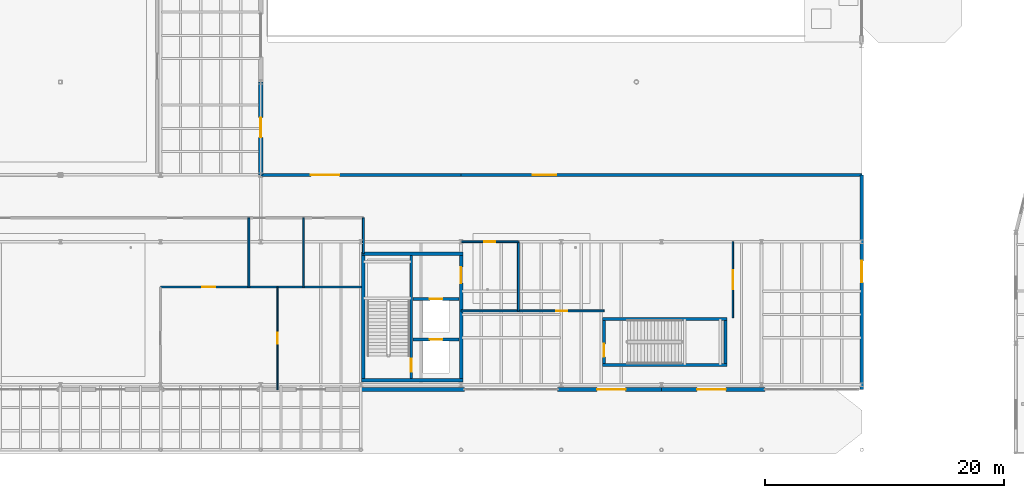
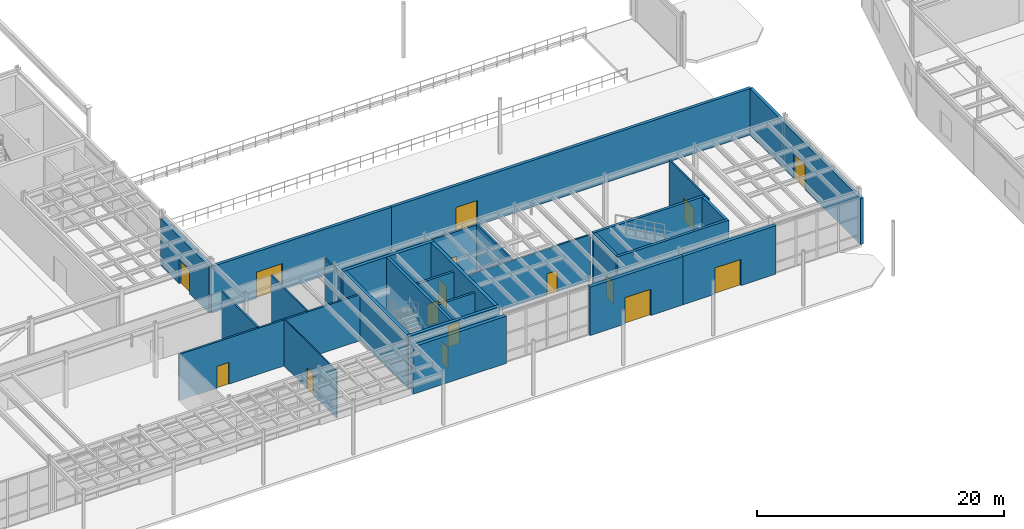
# One storey, part 65 of 87: 27 walls, 16 doors, 16 openings.
"""IFC4 building model written with IfcOpenShell, lengths in metres."""

from ifc_helpers import new_model, si_unit, direction, frame, frame_2d, origin, place, context, subcontext, project, spatial, rectangle, extrude, material, layer, layer_set, type_object, element, fill, save


model = new_model("IFC4")

# Units and contexts
model_context = context("Model", 3, precision=1e-05, world=origin(), true_north=direction((0.0, 1.0)))
body_context = subcontext(model_context, "Body", "Model", "MODEL_VIEW")
ifc_project = project(units=[si_unit("LENGTHUNIT", "METRE"), si_unit("AREAUNIT", "SQUARE_METRE"), si_unit("VOLUMEUNIT", "CUBIC_METRE"), si_unit("PLANEANGLEUNIT", "RADIAN"), si_unit("MASSUNIT", "GRAM", prefix="KILO")], contexts=[model_context])

# Site, building, storey
site_placement = place(None, origin())
site = spatial("IfcSite", under=ifc_project, at=site_placement, CompositionType="ELEMENT")
building_placement = place(site_placement, origin())
building = spatial("IfcBuilding", under=site, at=building_placement, Name="Selat Folded Stagehouse", CompositionType="ELEMENT")
storey_placement = place(building_placement, origin())
storey = spatial("IfcBuildingStorey", under=building, at=storey_placement, Name="L00", CompositionType="ELEMENT", Elevation=0.0)

# Wall, opening, door
ifc_material_1 = material(Name="Concrete C40/50", Category="concrete")
ifc_layer_1 = layer(ifc_material_1, 0.179931640625)
ifc_layer_set_1 = layer_set([ifc_layer_1], Name="Concrete C40/50")
wall_type_1 = type_object("IfcWallType", Name="WAL-COMP-180", PredefinedType="STANDARD", material=ifc_layer_set_1)
wall_1_placement = place(storey_placement, frame((58.800048828125, 14.0, 0.0), z_axis=(0.0, 0.0, 1.0), x_axis=(1.0, 0.0, 0.0)))
wall_1 = element("IfcWall", 1, at=wall_1_placement, inside=storey, type_object=wall_type_1, Name="L00 interior partition wall 021", PredefinedType="STANDARD", context=body_context, shape_type="SweptSolid", body=[
    extrude(rectangle(XDim=17.0, YDim=0.179931640625, at=frame_2d((8.5, 0.0))), origin(), (0.0, 0.0, 1.0), 4.5546875),
])
opening_1_placement = place(wall_1_placement, frame((3.498046875, 0.0, 0.0)))
opening_1 = element("IfcOpeningElement", 2, at=opening_1_placement, cuts=wall_1, Name="Opening FD-60", PredefinedType="OPENING", context=body_context, shape_type="SweptSolid", body=[
    extrude(rectangle(XDim=1.10009765625, YDim=2.14990234375, at=frame_2d((0.550048828125, 1.074951171875))), frame((0.0, 0.099853515625, 0.0), z_axis=(0.0, -1.0, 0.0), x_axis=(1.0, 0.0, 0.0)), (0.0, 0.0, 1.0), 0.199951171875),
])
ifc_material_2 = material(Name="Fire-rated timber core door", Category="wood")
door_type_1 = type_object("IfcDoorType", Name="DOR-FIRE-60", OperationType="NOTDEFINED", PredefinedType="DOOR", material=ifc_material_2)
door_1_placement = place(opening_1_placement, origin())
door_1 = element("IfcDoor", 3, at=door_1_placement, inside=storey, type_object=door_type_1, Name="L00 interior door IWAL-L00-021-1", OperationType="SINGLE_SWING_RIGHT", OverallHeight=2.14990234375, OverallWidth=1.10009765625, PredefinedType="DOOR", context=body_context, shape_type="SweptSolid", body=[
    extrude(rectangle(XDim=1.10009765625, YDim=2.14990234375, at=frame_2d((0.550048828125, 1.074951171875))), frame((0.0, 0.02490234375, 0.0), z_axis=(0.0, -1.0, 0.0), x_axis=(1.0, 0.0, 0.0)), (0.0, 0.0, 1.0), 0.050048828125),
])
fill(opening_1, door_1)

ifc_layer_2 = layer(ifc_material_1, 0.215087890625)
ifc_layer_set_2 = layer_set([ifc_layer_2], Name="Concrete C40/50")
wall_type_2 = type_object("IfcWallType", Name="WAL-COMP-215", PredefinedType="STANDARD", material=ifc_layer_set_2)
wall_2_placement = place(storey_placement, frame((79.97998046875, 9.60009765625, 0.0), z_axis=(0.0, 0.0, 1.0), x_axis=(1.0, 0.0, 0.0)))
wall_2 = element("IfcWall", 4, at=wall_2_placement, inside=storey, type_object=wall_type_2, Name="L00 PL-01 lift shaft front wall", PredefinedType="STANDARD", context=body_context, shape_type="SweptSolid", body=[
    extrude(rectangle(XDim=3.85009765625, YDim=0.215087890625, at=frame_2d((1.925048828125, 0.0))), origin(), (0.0, 0.0, 1.0), 4.5546875),
])
opening_2_placement = place(wall_2_placement, frame((1.39990234375, 0.0, 0.0)))
opening_2 = element("IfcOpeningElement", 5, at=opening_2_placement, cuts=wall_2, Name="Opening LD-03", PredefinedType="OPENING", context=body_context, shape_type="SweptSolid", body=[
    extrude(rectangle(XDim=1.050048828125, YDim=2.14990234375, at=frame_2d((0.52490234375, 1.074951171875))), frame((0.0, 0.117431640625, 0.0), z_axis=(0.0, -1.0, 0.0), x_axis=(1.0, 0.0, 0.0)), (0.0, 0.0, 1.0), 0.235107421875),
])
ifc_material_3 = material(Name="Passenger lift stainless sliding landing door", Category="wood")
door_type_2 = type_object("IfcDoorType", Name="DOR-LFT-1050", OperationType="NOTDEFINED", PredefinedType="DOOR", material=ifc_material_3)
door_2_placement = place(opening_2_placement, origin())
door_2 = element("IfcDoor", 6, at=door_2_placement, inside=storey, type_object=door_type_2, Name="L00 PL-01 lift sliding landing door", OperationType="SLIDING_TO_LEFT", OverallHeight=2.14990234375, OverallWidth=1.050048828125, PredefinedType="DOOR", context=body_context, shape_type="SweptSolid", body=[
    extrude(rectangle(XDim=1.050048828125, YDim=2.14990234375, at=frame_2d((0.52490234375, 1.074951171875))), frame((0.0, 0.02490234375, 0.0), z_axis=(0.0, -1.0, 0.0), x_axis=(1.0, 0.0, 0.0)), (0.0, 0.0, 1.0), 0.050048828125),
])
fill(opening_2, door_2)

wall_3_placement = place(storey_placement, frame((79.97998046875, 13.0, 0.0), z_axis=(0.0, 0.0, 1.0), x_axis=(1.0, 0.0, 0.0)))
wall_3 = element("IfcWall", 7, at=wall_3_placement, inside=storey, type_object=wall_type_2, Name="L00 PL-02 lift shaft front wall", PredefinedType="STANDARD", context=body_context, shape_type="SweptSolid", body=[
    extrude(rectangle(XDim=3.85009765625, YDim=0.215087890625, at=frame_2d((1.925048828125, 0.0))), origin(), (0.0, 0.0, 1.0), 4.5546875),
])
opening_3_placement = place(wall_3_placement, frame((1.39990234375, 0.0, 0.0)))
opening_3 = element("IfcOpeningElement", 8, at=opening_3_placement, cuts=wall_3, Name="Opening LD-03", PredefinedType="OPENING", context=body_context, shape_type="SweptSolid", body=[
    extrude(rectangle(XDim=1.050048828125, YDim=2.14990234375, at=frame_2d((0.52490234375, 1.074951171875))), frame((0.0, 0.117431640625, 0.0), z_axis=(0.0, -1.0, 0.0), x_axis=(1.0, 0.0, 0.0)), (0.0, 0.0, 1.0), 0.235107421875),
])
door_3_placement = place(opening_3_placement, origin())
door_3 = element("IfcDoor", 9, at=door_3_placement, inside=storey, type_object=door_type_2, Name="L00 PL-02 lift sliding landing door", OperationType="SLIDING_TO_RIGHT", OverallHeight=2.14990234375, OverallWidth=1.050048828125, PredefinedType="DOOR", context=body_context, shape_type="SweptSolid", body=[
    extrude(rectangle(XDim=1.050048828125, YDim=2.14990234375, at=frame_2d((0.52490234375, 1.074951171875))), frame((0.0, 0.02490234375, 0.0), z_axis=(0.0, -1.0, 0.0), x_axis=(1.0, 0.0, 0.0)), (0.0, 0.0, 1.0), 0.050048828125),
])
fill(opening_3, door_3)

# Walls
ifc_material_4 = material(Name="Concrete C50/60", Category="concrete")
ifc_layer_3 = layer(ifc_material_4, 0.25)
ifc_layer_set_3 = layer_set([ifc_layer_3], Name="Concrete C50/60")
wall_type_3 = type_object("IfcWallType", Name="WAL-CORE-250", PredefinedType="SHEAR", material=ifc_layer_set_3)
for number, where, z_axis, x_axis, name in (
    (10, (106.284912109375, 7.4599609375, 0.0), (0.0, 0.0, 1.0), (-1.0, 0.0, 0.0), "L00 ST-08 south shaft wall"),
    (11, (95.875, 11.340087890625, 0.0), (0.0, 0.0, 1.0), (1.0, 0.0, 0.0), "L00 ST-08 north shaft wall"),
):
    element("IfcWall", number, at=place(storey_placement, frame(where, z_axis=z_axis, x_axis=x_axis)), inside=storey, type_object=wall_type_3, Name=name, PredefinedType="SHEAR", context=body_context, shape_type="SweptSolid", body=[
        extrude(rectangle(XDim=10.409912109375, YDim=0.25, at=frame_2d((5.205078125, 0.0))), origin(), (0.0, 0.0, 1.0), 5.179931640625),
    ])

# Wall, opening, door
wall_4_placement = place(storey_placement, frame((96.0, 7.5849609375, 0.0), z_axis=(0.0, 0.0, 1.0), x_axis=(0.0, 1.0, 0.0)))
wall_4 = element("IfcWall", 12, at=wall_4_placement, inside=storey, type_object=wall_type_3, Name="L00 ST-08 west shaft wall", PredefinedType="SHEAR", context=body_context, shape_type="SweptSolid", body=[
    extrude(rectangle(XDim=3.630126953125, YDim=0.25, at=frame_2d((1.81494140625, 0.0))), origin(), (0.0, 0.0, 1.0), 5.179931640625),
])
opening_4_placement = place(wall_4_placement, frame((0.550048828125, 0.0, 0.0)))
opening_4 = element("IfcOpeningElement", 13, at=opening_4_placement, cuts=wall_4, Name="Opening FD-60", PredefinedType="OPENING", context=body_context, shape_type="SweptSolid", body=[
    extrude(rectangle(XDim=1.10009765625, YDim=2.14990234375, at=frame_2d((0.550048828125, 1.074951171875))), frame((0.0, 0.135009765625, 0.0), z_axis=(0.0, -1.0, 0.0), x_axis=(1.0, 0.0, 0.0)), (0.0, 0.0, 1.0), 0.27001953125),
])
door_4_placement = place(opening_4_placement, origin())
door_4 = element("IfcDoor", 14, at=door_4_placement, inside=storey, type_object=door_type_1, Name="L00 ST-08 stair door", OperationType="SINGLE_SWING_RIGHT", OverallHeight=2.14990234375, OverallWidth=1.10009765625, PredefinedType="DOOR", context=body_context, shape_type="SweptSolid", body=[
    extrude(rectangle(XDim=1.10009765625, YDim=2.14990234375, at=frame_2d((0.550048828125, 1.074951171875))), frame((0.0, 0.02490234375, 0.0), z_axis=(0.0, -1.0, 0.0), x_axis=(1.0, 0.0, 0.0)), (0.0, 0.0, 1.0), 0.050048828125),
])
fill(opening_4, door_4)

# Wall
wall_5_placement = place(storey_placement, frame((106.159912109375, 11.215087890625, 0.0), z_axis=(0.0, 0.0, 1.0), x_axis=(0.0, -1.0, 0.0)))
element("IfcWall", 15, at=wall_5_placement, inside=storey, type_object=wall_type_3, Name="L00 ST-08 east shaft wall", PredefinedType="SHEAR", context=body_context, shape_type="SweptSolid", body=[
    extrude(rectangle(XDim=3.630126953125, YDim=0.25, at=frame_2d((1.81494140625, 0.0))), origin(), (0.0, 0.0, 1.0), 5.179931640625),
])

# Wall, opening, door
wall_6_placement = place(storey_placement, frame((79.820068359375, 16.64990234375, 0.0), z_axis=(0.0, 0.0, 1.0), x_axis=(0.0, -1.0, 0.0)))
wall_6 = element("IfcWall", 16, at=wall_6_placement, inside=storey, type_object=wall_type_3, Name="L00 CR-3 internal core divider wall", PredefinedType="SHEAR", context=body_context, shape_type="SweptSolid", body=[
    extrude(rectangle(XDim=10.2998046875, YDim=0.25, at=frame_2d((5.14990234375, 0.0))), origin(), (0.0, 0.0, 1.0), 5.179931640625),
])
opening_5_placement = place(wall_6_placement, frame((8.64990234375, 0.0, 0.0)))
opening_5 = element("IfcOpeningElement", 17, at=opening_5_placement, cuts=wall_6, Name="Opening FD-60", PredefinedType="OPENING", context=body_context, shape_type="SweptSolid", body=[
    extrude(rectangle(XDim=1.10009765625, YDim=2.14990234375, at=frame_2d((0.550048828125, 1.074951171875))), frame((0.0, 0.135009765625, 0.0), z_axis=(0.0, -1.0, 0.0), x_axis=(1.0, 0.0, 0.0)), (0.0, 0.0, 1.0), 0.27001953125),
])
door_5_placement = place(opening_5_placement, origin())
door_5 = element("IfcDoor", 18, at=door_5_placement, inside=storey, type_object=door_type_1, Name="L00 CR-3 protected stair fire door", OperationType="SINGLE_SWING_LEFT", OverallHeight=2.14990234375, OverallWidth=1.10009765625, PredefinedType="DOOR", context=body_context, shape_type="SweptSolid", body=[
    extrude(rectangle(XDim=1.10009765625, YDim=2.14990234375, at=frame_2d((0.550048828125, 1.074951171875))), frame((0.0, 0.02490234375, 0.0), z_axis=(0.0, -1.0, 0.0), x_axis=(1.0, 0.0, 0.0)), (0.0, 0.0, 1.0), 0.050048828125),
])
fill(opening_5, door_5)

ifc_material_5 = material(Name="Precast concrete C40/50", Category="concrete")
ifc_layer_4 = layer(ifc_material_5, 0.27490234375)
ifc_layer_set_4 = layer_set([ifc_layer_4], Name="Precast concrete C40/50")
wall_type_4 = type_object("IfcWallType", Name="WAL-EXT-275", PredefinedType="STANDARD", material=ifc_layer_set_4)
wall_7_placement = place(storey_placement, frame((117.60009765625, 23.39990234375, 0.0), z_axis=(0.0, 0.0, 1.0), x_axis=(0.0, -1.0, 0.0)))
wall_7 = element("IfcWall", 19, at=wall_7_placement, inside=storey, type_object=wall_type_4, Name="L00 exterior facade wall EW-L00-FYR-E", PredefinedType="STANDARD", context=body_context, shape_type="SweptSolid", body=[
    extrude(rectangle(XDim=18.0, YDim=0.27490234375, at=frame_2d((9.0, 0.0))), origin(), (0.0, 0.0, 1.0), 4.5546875),
])
opening_6_placement = place(wall_7_placement, frame((7.199951171875, 0.0, 0.0)))
opening_6 = element("IfcOpeningElement", 20, at=opening_6_placement, cuts=wall_7, Name="Opening ED-04", PredefinedType="OPENING", context=body_context, shape_type="SweptSolid", body=[
    extrude(rectangle(XDim=1.800048828125, YDim=2.39990234375, at=frame_2d((0.89990234375, 1.199951171875))), frame((0.0, 0.1474609375, 0.0), z_axis=(0.0, -1.0, 0.0), x_axis=(1.0, 0.0, 0.0)), (0.0, 0.0, 1.0), 0.294921875),
])
ifc_material_6 = material(Name="Powder-coated steel and laminated safety glass", Category="steel")
door_type_3 = type_object("IfcDoorType", Name="DOR-EXT-1800x2400", OperationType="NOTDEFINED", PredefinedType="DOOR", material=ifc_material_6)
door_6_placement = place(opening_6_placement, origin())
door_6 = element("IfcDoor", 21, at=door_6_placement, inside=storey, type_object=door_type_3, Name="L00 exterior door EW-L00-FYR-E-1", OperationType="SINGLE_SWING_LEFT", OverallHeight=2.39990234375, OverallWidth=1.800048828125, PredefinedType="DOOR", context=body_context, shape_type="SweptSolid", body=[
    extrude(rectangle(XDim=1.800048828125, YDim=2.39990234375, at=frame_2d((0.89990234375, 1.199951171875))), frame((0.0, 0.02490234375, 0.0), z_axis=(0.0, -1.0, 0.0), x_axis=(1.0, 0.0, 0.0)), (0.0, 0.0, 1.0), 0.050048828125),
])
fill(opening_6, door_6)

wall_8_placement = place(storey_placement, frame((67.199951171875, 23.39990234375, 0.0), z_axis=(0.0, 0.0, 1.0), x_axis=(1.0, 0.0, 0.0)))
wall_8 = element("IfcWall", 22, at=wall_8_placement, inside=storey, type_object=wall_type_4, Name="L00 exterior facade wall EW-L00-FYR-NC1", PredefinedType="STANDARD", context=body_context, shape_type="SweptSolid", body=[
    extrude(rectangle(XDim=16.800048828125, YDim=0.27490234375, at=frame_2d((8.39990234375, 0.0))), origin(), (0.0, 0.0, 1.0), 4.592041015625),
])
opening_7_placement = place(wall_8_placement, frame((4.199951171875, 0.0, 0.0)))
opening_7 = element("IfcOpeningElement", 23, at=opening_7_placement, cuts=wall_8, Name="Opening ED-01", PredefinedType="OPENING", context=body_context, shape_type="SweptSolid", body=[
    extrude(rectangle(XDim=2.39990234375, YDim=2.60009765625, at=frame_2d((1.199951171875, 1.300048828125))), frame((0.0, 0.1474609375, 0.0), z_axis=(0.0, -1.0, 0.0), x_axis=(1.0, 0.0, 0.0)), (0.0, 0.0, 1.0), 0.294921875),
])
door_type_4 = type_object("IfcDoorType", Name="DOR-EXT-2400x2600", OperationType="NOTDEFINED", PredefinedType="DOOR", material=ifc_material_6)
door_7_placement = place(opening_7_placement, origin())
door_7 = element("IfcDoor", 24, at=door_7_placement, inside=storey, type_object=door_type_4, Name="L00 exterior door EW-L00-FYR-NC1-1", OperationType="DOUBLE_SWING_LEFT", OverallHeight=2.60009765625, OverallWidth=2.39990234375, PredefinedType="DOOR", context=body_context, shape_type="SweptSolid", body=[
    extrude(rectangle(XDim=2.39990234375, YDim=2.60009765625, at=frame_2d((1.199951171875, 1.300048828125))), frame((0.0, 0.02490234375, 0.0), z_axis=(0.0, -1.0, 0.0), x_axis=(1.0, 0.0, 0.0)), (0.0, 0.0, 1.0), 0.050048828125),
])
fill(opening_7, door_7)

wall_9_placement = place(storey_placement, frame((84.0, 23.39990234375, 0.0), z_axis=(0.0, 0.0, 1.0), x_axis=(1.0, 0.0, 0.0)))
wall_9 = element("IfcWall", 25, at=wall_9_placement, inside=storey, type_object=wall_type_4, Name="L00 exterior facade wall EW-L00-FYR-NC2", PredefinedType="STANDARD", context=body_context, shape_type="SweptSolid", body=[
    extrude(rectangle(XDim=33.60009765625, YDim=0.27490234375, at=frame_2d((16.800048828125, 0.0))), origin(), (0.0, 0.0, 1.0), 4.592041015625),
])
opening_8_placement = place(wall_9_placement, frame((6.0, 0.0, 0.0)))
opening_8 = element("IfcOpeningElement", 26, at=opening_8_placement, cuts=wall_9, Name="Opening ED-03", PredefinedType="OPENING", context=body_context, shape_type="SweptSolid", body=[
    extrude(rectangle(XDim=2.0, YDim=2.449951171875, at=frame_2d((1.0, 1.22509765625))), frame((0.0, 0.1474609375, 0.0), z_axis=(0.0, -1.0, 0.0), x_axis=(1.0, 0.0, 0.0)), (0.0, 0.0, 1.0), 0.294921875),
])
door_type_5 = type_object("IfcDoorType", Name="DOR-EXT-2000x2450", OperationType="NOTDEFINED", PredefinedType="DOOR", material=ifc_material_6)
door_8_placement = place(opening_8_placement, origin())
door_8 = element("IfcDoor", 27, at=door_8_placement, inside=storey, type_object=door_type_5, Name="L00 exterior door EW-L00-FYR-NC2-1", OperationType="SINGLE_SWING_RIGHT", OverallHeight=2.449951171875, OverallWidth=2.0, PredefinedType="DOOR", context=body_context, shape_type="SweptSolid", body=[
    extrude(rectangle(XDim=2.0, YDim=2.449951171875, at=frame_2d((1.0, 1.22509765625))), frame((0.0, 0.02490234375, 0.0), z_axis=(0.0, -1.0, 0.0), x_axis=(1.0, 0.0, 0.0)), (0.0, 0.0, 1.0), 0.050048828125),
])
fill(opening_8, door_8)

# Wall
ifc_layer_5 = layer(ifc_material_5, 0.324951171875)
ifc_layer_set_5 = layer_set([ifc_layer_5], Name="Precast concrete C40/50")
wall_type_5 = type_object("IfcWallType", Name="WAL-EXT-325", PredefinedType="STANDARD", material=ifc_layer_set_5)
wall_10_placement = place(storey_placement, frame((84.300048828125, 5.39990234375, 0.0), z_axis=(0.0, 0.0, 1.0), x_axis=(-1.0, 0.0, 0.0)))
element("IfcWall", 28, at=wall_10_placement, inside=storey, type_object=wall_type_5, Name="L00 exterior facade wall EW-L00-FYR-P2", PredefinedType="STANDARD", context=body_context, shape_type="SweptSolid", body=[
    extrude(rectangle(XDim=8.699951171875, YDim=0.324951171875, at=frame_2d((4.35009765625, 0.0))), origin(), (0.0, 0.0, 1.0), 4.662353515625),
])

# Wall, opening, door
wall_11_placement = place(storey_placement, frame((100.800048828125, 5.39990234375, 0.0), z_axis=(0.0, 0.0, 1.0), x_axis=(-1.0, 0.0, 0.0)))
wall_11 = element("IfcWall", 29, at=wall_11_placement, inside=storey, type_object=wall_type_5, Name="L00 exterior facade wall EW-L00-FYR-P3", PredefinedType="STANDARD", context=body_context, shape_type="SweptSolid", body=[
    extrude(rectangle(XDim=8.699951171875, YDim=0.324951171875, at=frame_2d((4.35009765625, 0.0))), origin(), (0.0, 0.0, 1.0), 4.7919921875),
])
opening_9_placement = place(wall_11_placement, frame((3.0, 0.0, 0.0)))
opening_9 = element("IfcOpeningElement", 30, at=opening_9_placement, cuts=wall_11, Name="Opening ED-01", PredefinedType="OPENING", context=body_context, shape_type="SweptSolid", body=[
    extrude(rectangle(XDim=2.39990234375, YDim=2.60009765625, at=frame_2d((1.199951171875, 1.300048828125))), frame((0.0, 0.17236328125, 0.0), z_axis=(0.0, -1.0, 0.0), x_axis=(1.0, 0.0, 0.0)), (0.0, 0.0, 1.0), 0.344970703125),
])
door_9_placement = place(opening_9_placement, origin())
door_9 = element("IfcDoor", 31, at=door_9_placement, inside=storey, type_object=door_type_4, Name="L00 exterior door EW-L00-FYR-P3-1", OperationType="DOUBLE_SWING_RIGHT", OverallHeight=2.60009765625, OverallWidth=2.39990234375, PredefinedType="DOOR", context=body_context, shape_type="SweptSolid", body=[
    extrude(rectangle(XDim=2.39990234375, YDim=2.60009765625, at=frame_2d((1.199951171875, 1.300048828125))), frame((0.0, 0.02490234375, 0.0), z_axis=(0.0, -1.0, 0.0), x_axis=(1.0, 0.0, 0.0)), (0.0, 0.0, 1.0), 0.050048828125),
])
fill(opening_9, door_9)

wall_12_placement = place(storey_placement, frame((109.5, 5.39990234375, 0.0), z_axis=(0.0, 0.0, 1.0), x_axis=(-1.0, 0.0, 0.0)))
wall_12 = element("IfcWall", 32, at=wall_12_placement, inside=storey, type_object=wall_type_5, Name="L00 exterior facade wall EW-L00-FYR-P4", PredefinedType="STANDARD", context=body_context, shape_type="SweptSolid", body=[
    extrude(rectangle(XDim=8.699951171875, YDim=0.324951171875, at=frame_2d((4.35009765625, 0.0))), origin(), (0.0, 0.0, 1.0), 4.7919921875),
])
opening_10_placement = place(wall_12_placement, frame((3.300048828125, 0.0, 0.0)))
opening_10 = element("IfcOpeningElement", 33, at=opening_10_placement, cuts=wall_12, Name="Opening ED-01", PredefinedType="OPENING", context=body_context, shape_type="SweptSolid", body=[
    extrude(rectangle(XDim=2.39990234375, YDim=2.60009765625, at=frame_2d((1.199951171875, 1.300048828125))), frame((0.0, 0.17236328125, 0.0), z_axis=(0.0, -1.0, 0.0), x_axis=(1.0, 0.0, 0.0)), (0.0, 0.0, 1.0), 0.344970703125),
])
door_10_placement = place(opening_10_placement, origin())
door_10 = element("IfcDoor", 34, at=door_10_placement, inside=storey, type_object=door_type_4, Name="L00 exterior door EW-L00-FYR-P4-1", OperationType="DOUBLE_SWING_LEFT", OverallHeight=2.60009765625, OverallWidth=2.39990234375, PredefinedType="DOOR", context=body_context, shape_type="SweptSolid", body=[
    extrude(rectangle(XDim=2.39990234375, YDim=2.60009765625, at=frame_2d((1.199951171875, 1.300048828125))), frame((0.0, 0.02490234375, 0.0), z_axis=(0.0, -1.0, 0.0), x_axis=(1.0, 0.0, 0.0)), (0.0, 0.0, 1.0), 0.050048828125),
])
fill(opening_10, door_10)

ifc_layer_6 = layer(ifc_material_5, 0.3798828125)
ifc_layer_set_6 = layer_set([ifc_layer_6], Name="Precast concrete C40/50")
wall_type_6 = type_object("IfcWallType", Name="WAL-EXT-380", PredefinedType="STANDARD", material=ifc_layer_set_6)
wall_13_placement = place(storey_placement, frame((67.199951171875, 31.199951171875, 0.0), z_axis=(0.0, 0.0, 1.0), x_axis=(0.0, -1.0, 0.0)))
wall_13 = element("IfcWall", 35, at=wall_13_placement, inside=storey, type_object=wall_type_6, Name="L00 exterior facade wall EW-L00-V2E-23", PredefinedType="STANDARD", context=body_context, shape_type="SweptSolid", body=[
    extrude(rectangle(XDim=7.800048828125, YDim=0.3798828125, at=frame_2d((3.89990234375, 0.0))), origin(), (0.0, 0.0, 1.0), 4.63232421875),
])
opening_11_placement = place(wall_13_placement, frame((3.0, 0.0, 0.0)))
opening_11 = element("IfcOpeningElement", 36, at=opening_11_placement, cuts=wall_13, Name="Opening ED-05", PredefinedType="OPENING", context=body_context, shape_type="SweptSolid", body=[
    extrude(rectangle(XDim=1.64990234375, YDim=2.35009765625, at=frame_2d((0.824951171875, 1.175048828125))), frame((0.0, 0.199951171875, 0.0), z_axis=(0.0, -1.0, 0.0), x_axis=(1.0, 0.0, 0.0)), (0.0, 0.0, 1.0), 0.39990234375),
])
door_type_6 = type_object("IfcDoorType", Name="DOR-EXT-1650x2350", OperationType="NOTDEFINED", PredefinedType="DOOR", material=ifc_material_6)
door_11_placement = place(opening_11_placement, origin())
door_11 = element("IfcDoor", 37, at=door_11_placement, inside=storey, type_object=door_type_6, Name="L00 exterior door EW-L00-V2E-23-1", OperationType="SINGLE_SWING_RIGHT", OverallHeight=2.35009765625, OverallWidth=1.64990234375, PredefinedType="DOOR", context=body_context, shape_type="SweptSolid", body=[
    extrude(rectangle(XDim=1.64990234375, YDim=2.35009765625, at=frame_2d((0.824951171875, 1.175048828125))), frame((0.0, 0.02490234375, 0.0), z_axis=(0.0, -1.0, 0.0), x_axis=(1.0, 0.0, 0.0)), (0.0, 0.0, 1.0), 0.050048828125),
])
fill(opening_11, door_11)

ifc_material_7 = material(Name="Lightweight drywall partition", Category="gypsum")
ifc_layer_7 = layer(ifc_material_7, 0.10009765625)
ifc_layer_set_7 = layer_set([ifc_layer_7], Name="Lightweight drywall partition")
wall_type_7 = type_object("IfcWallType", Name="WAL-PART-100", PredefinedType="PARTITIONING", material=ifc_layer_set_7)
wall_14_placement = place(storey_placement, frame((68.60009765625, 5.39990234375, 0.0), z_axis=(0.0, 0.0, 1.0), x_axis=(0.0, 1.0, 0.0)))
wall_14 = element("IfcWall", 38, at=wall_14_placement, inside=storey, type_object=wall_type_7, Name="L00 interior partition wall 020", PredefinedType="PARTITIONING", context=body_context, shape_type="SweptSolid", body=[
    extrude(rectangle(XDim=8.60009765625, YDim=0.10009765625, at=frame_2d((4.300048828125, 0.0))), origin(), (0.0, 0.0, 1.0), 4.638916015625),
])
opening_12_placement = place(wall_14_placement, frame((3.830078125, 0.0, 0.0)))
opening_12 = element("IfcOpeningElement", 39, at=opening_12_placement, cuts=wall_14, Name="Opening ID-03", PredefinedType="OPENING", context=body_context, shape_type="SweptSolid", body=[
    extrude(rectangle(XDim=0.93994140625, YDim=2.10009765625, at=frame_2d((0.469970703125, 1.050048828125))), frame((0.0, 0.06005859375, 0.0), z_axis=(0.0, -1.0, 0.0), x_axis=(1.0, 0.0, 0.0)), (0.0, 0.0, 1.0), 0.1201171875),
])
ifc_material_8 = material(Name="Backstage room single door", Category="wood")
door_type_7 = type_object("IfcDoorType", Name="DOR-GEN-0940", OperationType="NOTDEFINED", PredefinedType="DOOR", material=ifc_material_8)
door_12_placement = place(opening_12_placement, origin())
door_12 = element("IfcDoor", 40, at=door_12_placement, inside=storey, type_object=door_type_7, Name="L00 interior door IWAL-L00-020-1", OperationType="SINGLE_SWING_LEFT", OverallHeight=2.10009765625, OverallWidth=0.93994140625, PredefinedType="DOOR", context=body_context, shape_type="SweptSolid", body=[
    extrude(rectangle(XDim=0.93994140625, YDim=2.10009765625, at=frame_2d((0.469970703125, 1.050048828125))), frame((0.0, 0.02490234375, 0.0), z_axis=(0.0, -1.0, 0.0), x_axis=(1.0, 0.0, 0.0)), (0.0, 0.0, 1.0), 0.050048828125),
])
fill(opening_12, door_12)

ifc_material_9 = material(Name="Standard acoustic drywall partition", Category="gypsum")
ifc_layer_8 = layer(ifc_material_9, 0.125)
ifc_layer_set_8 = layer_set([ifc_layer_8], Name="Standard acoustic drywall partition")
wall_type_8 = type_object("IfcWallType", Name="WAL-PART-125", PredefinedType="PARTITIONING", material=ifc_layer_set_8)
wall_15_placement = place(storey_placement, frame((106.800048828125, 11.419921875, 0.0), z_axis=(0.0, 0.0, 1.0), x_axis=(0.0, 1.0, 0.0)))
wall_15 = element("IfcWall", 41, at=wall_15_placement, inside=storey, type_object=wall_type_8, Name="L00 interior partition wall 028", PredefinedType="PARTITIONING", context=body_context, shape_type="SweptSolid", body=[
    extrude(rectangle(XDim=6.380126953125, YDim=0.125, at=frame_2d((3.18994140625, 0.0))), origin(), (0.0, 0.0, 1.0), 4.638916015625),
])
opening_13_placement = place(wall_15_placement, frame((2.389892578125, 0.0, 0.0)))
opening_13 = element("IfcOpeningElement", 42, at=opening_13_placement, cuts=wall_15, Name="Opening RD-01", PredefinedType="OPENING", context=body_context, shape_type="SweptSolid", body=[
    extrude(rectangle(XDim=1.60009765625, YDim=2.25, at=frame_2d((0.800048828125, 1.125))), frame((0.0, 0.072509765625, 0.0), z_axis=(0.0, -1.0, 0.0), x_axis=(1.0, 0.0, 0.0)), (0.0, 0.0, 1.0), 0.14501953125),
])
ifc_material_10 = material(Name="Rehearsal studio acoustic leaf-and-half door", Category="wood")
door_type_8 = type_object("IfcDoorType", Name="DOR-REH-1600", OperationType="NOTDEFINED", PredefinedType="DOOR", material=ifc_material_10)
door_13_placement = place(opening_13_placement, origin())
door_13 = element("IfcDoor", 43, at=door_13_placement, inside=storey, type_object=door_type_8, Name="L00 interior door IWAL-L00-028-1", OperationType="SINGLE_SWING_LEFT", OverallHeight=2.25, OverallWidth=1.60009765625, PredefinedType="DOOR", context=body_context, shape_type="SweptSolid", body=[
    extrude(rectangle(XDim=1.60009765625, YDim=2.25, at=frame_2d((0.800048828125, 1.125))), frame((0.0, 0.02490234375, 0.0), z_axis=(0.0, -1.0, 0.0), x_axis=(1.0, 0.0, 0.0)), (0.0, 0.0, 1.0), 0.050048828125),
])
fill(opening_13, door_13)

# Walls
ifc_material_11 = material(Name="Sanitary cistern chase wall", Category="gypsum")
ifc_layer_9 = layer(ifc_material_11, 0.135009765625)
ifc_layer_set_9 = layer_set([ifc_layer_9], Name="Sanitary cistern chase wall")
wall_type_9 = type_object("IfcWallType", Name="WAL-PLMB-135", PredefinedType="PLUMBINGWALL", material=ifc_layer_set_9)
wall_16_placement = place(storey_placement, frame((70.800048828125, 14.0, 0.0), z_axis=(0.0, 0.0, 1.0), x_axis=(0.0, 1.0, 0.0)))
element("IfcWall", 44, at=wall_16_placement, inside=storey, type_object=wall_type_9, Name="L00 interior partition wall 023", PredefinedType="PLUMBINGWALL", context=body_context, shape_type="SweptSolid", body=[
    extrude(rectangle(XDim=5.800048828125, YDim=0.135009765625, at=frame_2d((2.89990234375, 0.0))), origin(), (0.0, 0.0, 1.0), 4.638916015625),
])
ifc_material_12 = material(Name="Moisture-resistant sanitary service wall", Category="gypsum")
ifc_layer_10 = layer(ifc_material_12, 0.159912109375)
ifc_layer_set_10 = layer_set([ifc_layer_10], Name="Moisture-resistant sanitary service wall")
wall_type_10 = type_object("IfcWallType", Name="WAL-PLMB-160", PredefinedType="PLUMBINGWALL", material=ifc_layer_set_10)
wall_17_placement = place(storey_placement, frame((66.199951171875, 14.0, 0.0), z_axis=(0.0, 0.0, 1.0), x_axis=(0.0, 1.0, 0.0)))
element("IfcWall", 45, at=wall_17_placement, inside=storey, type_object=wall_type_10, Name="L00 interior partition wall 022", PredefinedType="PLUMBINGWALL", context=body_context, shape_type="SweptSolid", body=[
    extrude(rectangle(XDim=5.800048828125, YDim=0.159912109375, at=frame_2d((2.89990234375, 0.0))), origin(), (0.0, 0.0, 1.0), 4.638916015625),
])
wall_18_placement = place(storey_placement, frame((75.800048828125, 16.800048828125, 0.0), z_axis=(0.0, 0.0, 1.0), x_axis=(0.0, 1.0, 0.0)))
element("IfcWall", 46, at=wall_18_placement, inside=storey, type_object=wall_type_10, Name="L00 interior partition wall 024", PredefinedType="PLUMBINGWALL", context=body_context, shape_type="SweptSolid", body=[
    extrude(rectangle(XDim=3.0, YDim=0.159912109375, at=frame_2d((1.5, 0.0))), origin(), (0.0, 0.0, 1.0), 4.5546875),
])

# Wall, opening, door
wall_19_placement = place(storey_placement, frame((84.0, 12.0, 0.0), z_axis=(0.0, 0.0, 1.0), x_axis=(1.0, 0.0, 0.0)))
wall_19 = element("IfcWall", 47, at=wall_19_placement, inside=storey, type_object=wall_type_10, Name="L00 interior partition wall 025", PredefinedType="PLUMBINGWALL", context=body_context, shape_type="SweptSolid", body=[
    extrude(rectangle(XDim=12.0, YDim=0.159912109375, at=frame_2d((6.0, 0.0))), origin(), (0.0, 0.0, 1.0), 4.5546875),
])
opening_14_placement = place(wall_19_placement, frame((7.963134765625, 0.0, 0.0)))
opening_14 = element("IfcOpeningElement", 48, at=opening_14_placement, cuts=wall_19, Name="Opening ID-03", PredefinedType="OPENING", context=body_context, shape_type="SweptSolid", body=[
    extrude(rectangle(XDim=0.93994140625, YDim=2.10009765625, at=frame_2d((0.469970703125, 1.050048828125))), frame((0.0, 0.08984375, 0.0), z_axis=(0.0, -1.0, 0.0), x_axis=(1.0, 0.0, 0.0)), (0.0, 0.0, 1.0), 0.179931640625),
])
door_14_placement = place(opening_14_placement, origin())
door_14 = element("IfcDoor", 49, at=door_14_placement, inside=storey, type_object=door_type_7, Name="L00 interior door IWAL-L00-025-1", OperationType="SINGLE_SWING_LEFT", OverallHeight=2.10009765625, OverallWidth=0.93994140625, PredefinedType="DOOR", context=body_context, shape_type="SweptSolid", body=[
    extrude(rectangle(XDim=0.93994140625, YDim=2.10009765625, at=frame_2d((0.469970703125, 1.050048828125))), frame((0.0, 0.02490234375, 0.0), z_axis=(0.0, -1.0, 0.0), x_axis=(1.0, 0.0, 0.0)), (0.0, 0.0, 1.0), 0.050048828125),
])
fill(opening_14, door_14)

wall_20_placement = place(storey_placement, frame((84.0, 17.800048828125, 0.0), z_axis=(0.0, 0.0, 1.0), x_axis=(1.0, 0.0, 0.0)))
wall_20 = element("IfcWall", 50, at=wall_20_placement, inside=storey, type_object=wall_type_10, Name="L00 interior partition wall 026", PredefinedType="PLUMBINGWALL", context=body_context, shape_type="SweptSolid", body=[
    extrude(rectangle(XDim=4.800048828125, YDim=0.159912109375, at=frame_2d((2.39990234375, 0.0))), origin(), (0.0, 0.0, 1.0), 4.5546875),
])
opening_15_placement = place(wall_20_placement, frame((1.925048828125, 0.0, 0.0)))
opening_15 = element("IfcOpeningElement", 51, at=opening_15_placement, cuts=wall_20, Name="Opening ID-04", PredefinedType="OPENING", context=body_context, shape_type="SweptSolid", body=[
    extrude(rectangle(XDim=0.949951171875, YDim=2.10009765625, at=frame_2d((0.47509765625, 1.050048828125))), frame((0.0, 0.08984375, 0.0), z_axis=(0.0, -1.0, 0.0), x_axis=(1.0, 0.0, 0.0)), (0.0, 0.0, 1.0), 0.179931640625),
])
ifc_material_13 = material(Name="Accessible toilet outward-opening door", Category="wood")
door_type_9 = type_object("IfcDoorType", Name="DOR-WC-0950", OperationType="NOTDEFINED", PredefinedType="DOOR", material=ifc_material_13)
door_15_placement = place(opening_15_placement, origin())
door_15 = element("IfcDoor", 52, at=door_15_placement, inside=storey, type_object=door_type_9, Name="L00 interior door IWAL-L00-026-1", OperationType="SINGLE_SWING_RIGHT", OverallHeight=2.10009765625, OverallWidth=0.949951171875, PredefinedType="DOOR", context=body_context, shape_type="SweptSolid", body=[
    extrude(rectangle(XDim=0.949951171875, YDim=2.10009765625, at=frame_2d((0.47509765625, 1.050048828125))), frame((0.0, 0.02490234375, 0.0), z_axis=(0.0, -1.0, 0.0), x_axis=(1.0, 0.0, 0.0)), (0.0, 0.0, 1.0), 0.050048828125),
])
fill(opening_15, door_15)

# Walls
wall_21_placement = place(storey_placement, frame((88.800048828125, 12.0, 0.0), z_axis=(0.0, 0.0, 1.0), x_axis=(0.0, 1.0, 0.0)))
element("IfcWall", 53, at=wall_21_placement, inside=storey, type_object=wall_type_10, Name="L00 interior partition wall 027", PredefinedType="PLUMBINGWALL", context=body_context, shape_type="SweptSolid", body=[
    extrude(rectangle(XDim=5.800048828125, YDim=0.159912109375, at=frame_2d((2.89990234375, 0.0))), origin(), (0.0, 0.0, 1.0), 4.638916015625),
])
ifc_layer_11 = layer(ifc_material_4, 0.300048828125)
ifc_layer_set_11 = layer_set([ifc_layer_11], Name="Concrete C50/60")
wall_type_11 = type_object("IfcWallType", Name="WAL-SW-300", PredefinedType="SHEAR", material=ifc_layer_set_11)
for number, where, z_axis, x_axis, name in (
    (54, (84.14990234375, 6.199951171875, 0.0), (0.0, 0.0, 1.0), (-1.0, 0.0, 0.0), "L00 CR-3 south shear wall"),
    (55, (75.64990234375, 16.800048828125, 0.0), (0.0, 0.0, 1.0), (1.0, 0.0, 0.0), "L00 CR-3 north shear wall"),
):
    element("IfcWall", number, at=place(storey_placement, frame(where, z_axis=z_axis, x_axis=x_axis)), inside=storey, type_object=wall_type_11, Name=name, PredefinedType="SHEAR", context=body_context, shape_type="SweptSolid", body=[
        extrude(rectangle(XDim=8.5, YDim=0.300048828125, at=frame_2d((4.25, 0.0))), origin(), (0.0, 0.0, 1.0), 5.179931640625),
    ])
wall_22_placement = place(storey_placement, frame((75.800048828125, 6.35009765625, 0.0), z_axis=(0.0, 0.0, 1.0), x_axis=(0.0, 1.0, 0.0)))
element("IfcWall", 56, at=wall_22_placement, inside=storey, type_object=wall_type_11, Name="L00 CR-3 west shear wall", PredefinedType="SHEAR", context=body_context, shape_type="SweptSolid", body=[
    extrude(rectangle(XDim=10.2998046875, YDim=0.300048828125, at=frame_2d((5.14990234375, 0.0))), origin(), (0.0, 0.0, 1.0), 5.179931640625),
])

# Wall, opening, door
wall_23_placement = place(storey_placement, frame((84.0, 16.64990234375, 0.0), z_axis=(0.0, 0.0, 1.0), x_axis=(0.0, -1.0, 0.0)))
wall_23 = element("IfcWall", 57, at=wall_23_placement, inside=storey, type_object=wall_type_11, Name="L00 CR-3 east shear wall", PredefinedType="SHEAR", context=body_context, shape_type="SweptSolid", body=[
    extrude(rectangle(XDim=10.2998046875, YDim=0.300048828125, at=frame_2d((5.14990234375, 0.0))), origin(), (0.0, 0.0, 1.0), 5.179931640625),
])
opening_16_placement = place(wall_23_placement, frame((0.97509765625, 0.0, 0.0)))
opening_16 = element("IfcOpeningElement", 58, at=opening_16_placement, cuts=wall_23, Name="Opening FD-60B", PredefinedType="OPENING", context=body_context, shape_type="SweptSolid", body=[
    extrude(rectangle(XDim=1.35009765625, YDim=2.14990234375, at=frame_2d((0.675048828125, 1.074951171875))), frame((0.0, 0.159912109375, 0.0), z_axis=(0.0, -1.0, 0.0), x_axis=(1.0, 0.0, 0.0)), (0.0, 0.0, 1.0), 0.320068359375),
])
ifc_material_14 = material(Name="Protected stair escape door", Category="wood")
door_type_10 = type_object("IfcDoorType", Name="DOR-STR-1350", OperationType="NOTDEFINED", PredefinedType="DOOR", material=ifc_material_14)
door_16_placement = place(opening_16_placement, origin())
door_16 = element("IfcDoor", 59, at=door_16_placement, inside=storey, type_object=door_type_10, Name="L00 CR-3 core lobby fire door", OperationType="SINGLE_SWING_RIGHT", OverallHeight=2.14990234375, OverallWidth=1.35009765625, PredefinedType="DOOR", context=body_context, shape_type="SweptSolid", body=[
    extrude(rectangle(XDim=1.35009765625, YDim=2.14990234375, at=frame_2d((0.675048828125, 1.074951171875))), frame((0.0, 0.02490234375, 0.0), z_axis=(0.0, -1.0, 0.0), x_axis=(1.0, 0.0, 0.0)), (0.0, 0.0, 1.0), 0.050048828125),
])
fill(opening_16, door_16)

save(model, "model.ifc")
